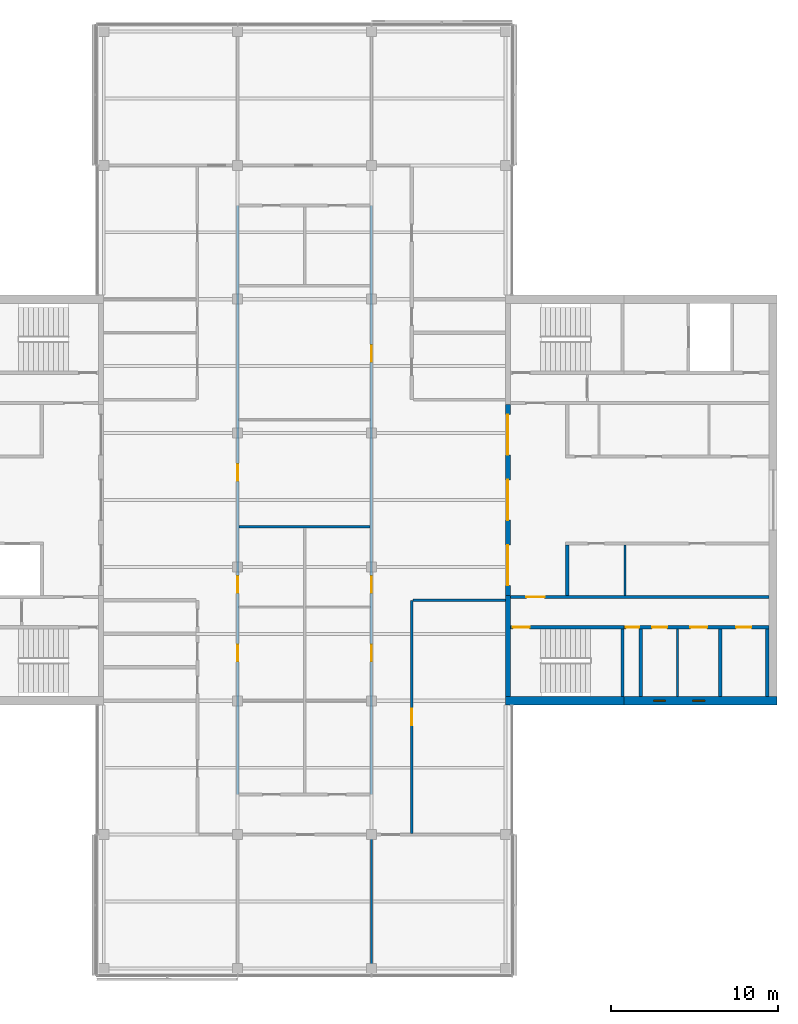
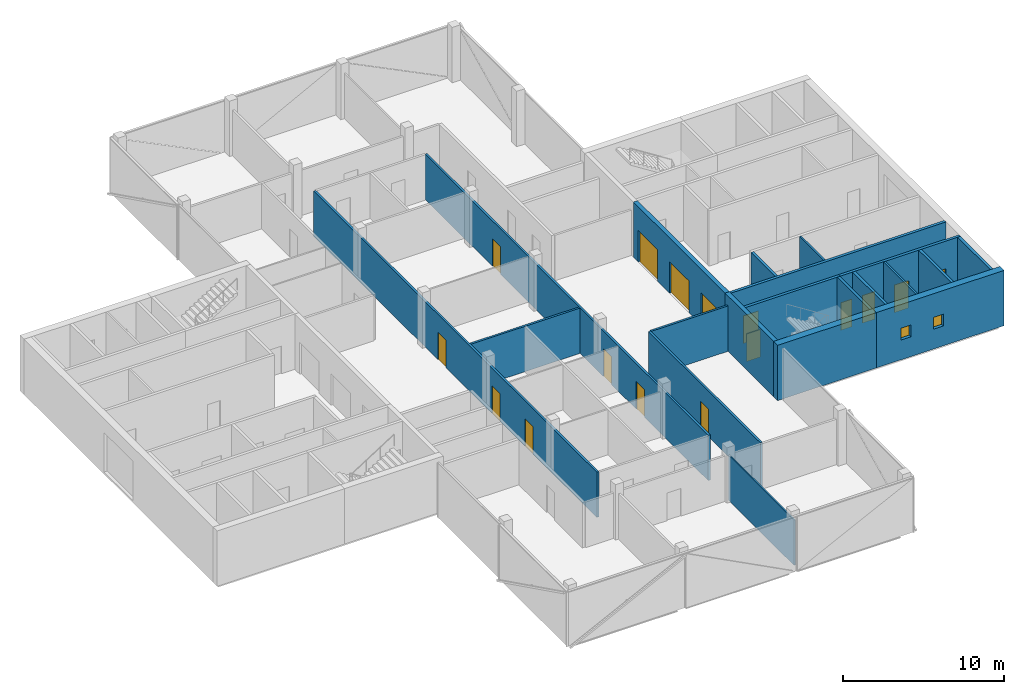
# One storey, part 10 of 16: 20 walls, 16 doors, 2 windows, 18 openings.
"""IFC4 building model written with IfcOpenShell, lengths in metres."""

from ifc_helpers import new_model, si_unit, direction, frame, frame_2d, origin, place, context, subcontext, project, spatial, rectangle, extrude, material, layer, layer_set, constituent, constituent_set, type_object, element, fill, save


model = new_model("IFC4")

# Units and contexts
model_context = context("Model", 3, precision=1e-05, world=origin(), true_north=direction((0.0, 1.0)))
body_context = subcontext(model_context, "Body", "Model", "MODEL_VIEW")
ifc_project = project(units=[si_unit("LENGTHUNIT", "METRE"), si_unit("AREAUNIT", "SQUARE_METRE"), si_unit("VOLUMEUNIT", "CUBIC_METRE"), si_unit("PLANEANGLEUNIT", "RADIAN"), si_unit("MASSUNIT", "GRAM", prefix="KILO")], contexts=[model_context])

# Site, building, storey
site_placement = place(None, origin())
site = spatial("IfcSite", under=ifc_project, at=site_placement, CompositionType="ELEMENT")
building_placement = place(site_placement, origin())
building = spatial("IfcBuilding", under=site, at=building_placement, Name="Crosswind Convention Tower", CompositionType="ELEMENT")
storey_placement = place(building_placement, frame((0.0, 0.0, 340.699951171875)))
storey = spatial("IfcBuildingStorey", under=building, at=storey_placement, Name="L74", CompositionType="ELEMENT", Elevation=340.699951171875)

# Wall
ifc_material_1 = material(Name="Concrete blockwork", Category="masonry")
ifc_layer_1 = layer(ifc_material_1, 0.199951171875)
ifc_layer_set_1 = layer_set([ifc_layer_1], Name="Blockwork partition wall 200")
wall_type_1 = type_object("IfcWallType", Name="Blockwork partition wall 200", PredefinedType="PARTITIONING", material=ifc_layer_set_1)
wall_1_placement = place(storey_placement, frame((145.10009765625, 88.25, 0.0), z_axis=(0.0, 0.0, 1.0), x_axis=(0.0, 1.0, 0.0)))
element("IfcWall", 1, at=wall_1_placement, inside=storey, type_object=wall_type_1, Name="Wall MRSE E L74", PredefinedType="PARTITIONING", context=body_context, shape_type="SweptSolid", body=[
    extrude(rectangle(XDim=4.050048828125, YDim=0.199951171875, at=frame_2d((2.02490234375, 0.0))), origin(), (0.0, 0.0, 1.0), 4.199951171875),
])

# Wall, openings, doors
ifc_material_2 = material(Name="Concrete C50/60", Category="concrete")
ifc_layer_2 = layer(ifc_material_2, 0.300048828125)
ifc_layer_set_2 = layer_set([ifc_layer_2], Name="Concrete C50/60")
wall_type_2 = type_object("IfcWallType", Name="Concrete inner core wall 300", PredefinedType="SHEAR", material=ifc_layer_set_2)
wall_2_placement = place(storey_placement, frame((137.14990234375, 94.300048828125, 0.0), z_axis=(0.0, 0.0, 1.0), x_axis=(0.0, 1.0, 0.0)))
wall_2 = element("IfcWall", 2, at=wall_2_placement, inside=storey, type_object=wall_type_2, Name="Wall SCR E L74", PredefinedType="SHEAR", context=body_context, shape_type="SweptSolid", body=[
    extrude(rectangle(XDim=11.39990234375, YDim=0.300048828125, at=frame_2d((5.699951171875, 0.0))), origin(), (0.0, 0.0, 1.0), 4.199951171875),
])
opening_1_placement = place(wall_2_placement, frame((0.60009765625, 0.0, 0.0)))
opening_1 = element("IfcOpeningElement", 3, at=opening_1_placement, cuts=wall_2, Name="Opening D100", PredefinedType="OPENING", context=body_context, shape_type="SweptSolid", body=[
    extrude(rectangle(XDim=2.39990234375, YDim=2.39990234375, at=frame_2d((1.199951171875, 1.199951171875))), frame((0.0, 0.159912109375, 0.0), z_axis=(0.0, -1.0, 0.0), x_axis=(1.0, 0.0, 0.0)), (0.0, 0.0, 1.0), 0.320068359375),
])
opening_2_placement = place(wall_2_placement, frame((4.5, 0.0, 0.0)))
opening_2 = element("IfcOpeningElement", 4, at=opening_2_placement, cuts=wall_2, Name="Opening D100", PredefinedType="OPENING", context=body_context, shape_type="SweptSolid", body=[
    extrude(rectangle(XDim=2.39990234375, YDim=2.39990234375, at=frame_2d((1.199951171875, 1.199951171875))), frame((0.0, 0.159912109375, 0.0), z_axis=(0.0, -1.0, 0.0), x_axis=(1.0, 0.0, 0.0)), (0.0, 0.0, 1.0), 0.320068359375),
])
opening_3_placement = place(wall_2_placement, frame((8.39990234375, 0.0, 0.0)))
opening_3 = element("IfcOpeningElement", 5, at=opening_3_placement, cuts=wall_2, Name="Opening D100", PredefinedType="OPENING", context=body_context, shape_type="SweptSolid", body=[
    extrude(rectangle(XDim=2.39990234375, YDim=2.39990234375, at=frame_2d((1.199951171875, 1.199951171875))), frame((0.0, 0.159912109375, 0.0), z_axis=(0.0, -1.0, 0.0), x_axis=(1.0, 0.0, 0.0)), (0.0, 0.0, 1.0), 0.320068359375),
])
ifc_material_3 = material(Name="Steel fire door with glazed vision panels", Category="steel")
door_type_1 = type_object("IfcDoorType", Name="Fire-rated double door 2400x2400", OperationType="DOUBLE_DOOR_SINGLE_SWING", PredefinedType="DOOR", material=ifc_material_3)
door_1_placement = place(opening_1_placement, origin())
door_1 = element("IfcDoor", 6, at=door_1_placement, inside=storey, type_object=door_type_1, Name="Lobby door 1 L74", ObjectType="D100", OperationType="DOUBLE_DOOR_SINGLE_SWING", OverallHeight=2.39990234375, OverallWidth=2.39990234375, PredefinedType="DOOR", context=body_context, shape_type="SweptSolid", body=[
    extrude(rectangle(XDim=2.39990234375, YDim=2.39990234375, at=frame_2d((1.199951171875, 1.199951171875))), frame((0.0, 0.02490234375, 0.0), z_axis=(0.0, -1.0, 0.0), x_axis=(1.0, 0.0, 0.0)), (0.0, 0.0, 1.0), 0.050048828125),
])
fill(opening_1, door_1)
door_2_placement = place(opening_2_placement, origin())
door_2 = element("IfcDoor", 7, at=door_2_placement, inside=storey, type_object=door_type_1, Name="Lobby door 2 L74", ObjectType="D100", OperationType="DOUBLE_DOOR_SINGLE_SWING", OverallHeight=2.39990234375, OverallWidth=2.39990234375, PredefinedType="DOOR", context=body_context, shape_type="SweptSolid", body=[
    extrude(rectangle(XDim=2.39990234375, YDim=2.39990234375, at=frame_2d((1.199951171875, 1.199951171875))), frame((0.0, 0.02490234375, 0.0), z_axis=(0.0, -1.0, 0.0), x_axis=(1.0, 0.0, 0.0)), (0.0, 0.0, 1.0), 0.050048828125),
])
fill(opening_2, door_2)
door_3_placement = place(opening_3_placement, origin())
door_3 = element("IfcDoor", 8, at=door_3_placement, inside=storey, type_object=door_type_1, Name="Lobby door 3 L74", ObjectType="D100", OperationType="DOUBLE_DOOR_SINGLE_SWING", OverallHeight=2.39990234375, OverallWidth=2.39990234375, PredefinedType="DOOR", context=body_context, shape_type="SweptSolid", body=[
    extrude(rectangle(XDim=2.39990234375, YDim=2.39990234375, at=frame_2d((1.199951171875, 1.199951171875))), frame((0.0, 0.02490234375, 0.0), z_axis=(0.0, -1.0, 0.0), x_axis=(1.0, 0.0, 0.0)), (0.0, 0.0, 1.0), 0.050048828125),
])
fill(opening_3, door_3)

# Walls
wall_3_placement = place(storey_placement, frame((137.14990234375, 88.25, 0.0), z_axis=(0.0, 0.0, 1.0), x_axis=(0.0, 1.0, 0.0)))
element("IfcWall", 9, at=wall_3_placement, inside=storey, type_object=wall_type_2, Name="Wall EM E L74", PredefinedType="SHEAR", context=body_context, shape_type="SweptSolid", body=[
    extrude(rectangle(XDim=6.050048828125, YDim=0.300048828125, at=frame_2d((3.02490234375, 0.0))), origin(), (0.0, 0.0, 1.0), 4.199951171875),
])
ifc_layer_3 = layer(ifc_material_2, 0.199951171875)
ifc_layer_set_3 = layer_set([ifc_layer_3], Name="Concrete C50/60")
wall_type_3 = type_object("IfcWallType", Name="Concrete shaft and stair wall 200", PredefinedType="SHEAR", material=ifc_layer_set_3)
wall_4_placement = place(storey_placement, frame((140.699951171875, 94.300048828125, 0.0), z_axis=(0.0, 0.0, 1.0), x_axis=(0.0, 1.0, 0.0)))
element("IfcWall", 10, at=wall_4_placement, inside=storey, type_object=wall_type_3, Name="Wall RMEND E L74", PredefinedType="SHEAR", context=body_context, shape_type="SweptSolid", body=[
    extrude(rectangle(XDim=3.0, YDim=0.199951171875, at=frame_2d((1.5, 0.0))), origin(), (0.0, 0.0, 1.0), 4.199951171875),
])

# Wall, opening, door
wall_5_placement = place(storey_placement, frame((137.300048828125, 94.199951171875, 0.0), z_axis=(0.0, 0.0, 1.0), x_axis=(1.0, 0.0, 0.0)))
wall_5 = element("IfcWall", 11, at=wall_5_placement, inside=storey, type_object=wall_type_3, Name="Wall HM E L74", PredefinedType="SHEAR", context=body_context, shape_type="SweptSolid", body=[
    extrude(rectangle(XDim=15.449951171875, YDim=0.199951171875, at=frame_2d((7.72509765625, 0.0))), origin(), (0.0, 0.0, 1.0), 4.199951171875),
])
opening_4_placement = place(wall_5_placement, frame((0.949951171875, 0.0, 0.0)))
opening_4 = element("IfcOpeningElement", 12, at=opening_4_placement, cuts=wall_5, Name="Opening D104", PredefinedType="OPENING", context=body_context, shape_type="SweptSolid", body=[
    extrude(rectangle(XDim=1.10009765625, YDim=2.10009765625, at=frame_2d((0.550048828125, 1.050048828125))), frame((0.0, 0.10986328125, 0.0), z_axis=(0.0, -1.0, 0.0), x_axis=(1.0, 0.0, 0.0)), (0.0, 0.0, 1.0), 0.219970703125),
])
ifc_material_4 = material(Name="Steel fire door", Category="steel")
door_type_2 = type_object("IfcDoorType", Name="Fire-rated single door 1100x2100", OperationType="NOTDEFINED", PredefinedType="DOOR", material=ifc_material_4)
door_4_placement = place(opening_4_placement, origin())
door_4 = element("IfcDoor", 13, at=door_4_placement, inside=storey, type_object=door_type_2, Name="Corridor door L74", ObjectType="D104", OperationType="SINGLE_SWING_LEFT", OverallHeight=2.10009765625, OverallWidth=1.10009765625, PredefinedType="DOOR", context=body_context, shape_type="SweptSolid", body=[
    extrude(rectangle(XDim=1.10009765625, YDim=2.10009765625, at=frame_2d((0.550048828125, 1.050048828125))), frame((0.0, 0.02490234375, 0.0), z_axis=(0.0, -1.0, 0.0), x_axis=(1.0, 0.0, 0.0)), (0.0, 0.0, 1.0), 0.050048828125),
])
fill(opening_4, door_4)

# Walls
for number, where, z_axis, x_axis, name in (
    (14, (144.0, 88.25, 0.0), (0.0, 0.0, 1.0), (0.0, 1.0, 0.0), "Wall MSE E L74"),
    (15, (149.85009765625, 88.25, 0.0), (0.0, 0.0, 1.0), (0.0, 1.0, 0.0), "Wall MFSW E L74"),
    (16, (152.64990234375, 88.25, 0.0), (0.0, 0.0, 1.0), (0.0, 1.0, 0.0), "Wall MFSE E L74"),
):
    element("IfcWall", number, at=place(storey_placement, frame(where, z_axis=z_axis, x_axis=x_axis)), inside=storey, type_object=wall_type_3, Name=name, PredefinedType="SHEAR", context=body_context, shape_type="SweptSolid", body=[
        extrude(rectangle(XDim=4.050048828125, YDim=0.199951171875, at=frame_2d((2.02490234375, 0.0))), origin(), (0.0, 0.0, 1.0), 4.199951171875),
    ])

# Wall, opening, door
wall_6_placement = place(storey_placement, frame((137.300048828125, 92.39990234375, 0.0), z_axis=(0.0, 0.0, 1.0), x_axis=(1.0, 0.0, 0.0)))
wall_6 = element("IfcWall", 17, at=wall_6_placement, inside=storey, type_object=wall_type_3, Name="Wall MCW E L74", PredefinedType="SHEAR", context=body_context, shape_type="SweptSolid", body=[
    extrude(rectangle(XDim=6.800048828125, YDim=0.199951171875, at=frame_2d((3.39990234375, 0.0))), origin(), (0.0, 0.0, 1.0), 4.199951171875),
])
opening_5_placement = place(wall_6_placement, frame((0.14990234375, 0.0, 0.0)))
opening_5 = element("IfcOpeningElement", 18, at=opening_5_placement, cuts=wall_6, Name="Opening D103", PredefinedType="OPENING", context=body_context, shape_type="SweptSolid", body=[
    extrude(rectangle(XDim=1.0, YDim=2.10009765625, at=frame_2d((0.5, 1.050048828125))), frame((0.0, 0.10986328125, 0.0), z_axis=(0.0, -1.0, 0.0), x_axis=(1.0, 0.0, 0.0)), (0.0, 0.0, 1.0), 0.219970703125),
])
door_type_3 = type_object("IfcDoorType", Name="Fire-rated single door 1000x2100", OperationType="NOTDEFINED", PredefinedType="DOOR", material=ifc_material_4)
door_5_placement = place(opening_5_placement, frame((1.0, 0.0, 0.0), z_axis=(0.0, 0.0, 1.0), x_axis=(-1.0, 0.0, 0.0)))
door_5 = element("IfcDoor", 19, at=door_5_placement, inside=storey, type_object=door_type_3, Name="Stair ST2 door L74", ObjectType="D103", OperationType="SINGLE_SWING_RIGHT", OverallHeight=2.10009765625, OverallWidth=1.0, PredefinedType="DOOR", context=body_context, shape_type="SweptSolid", body=[
    extrude(rectangle(XDim=1.0, YDim=2.10009765625, at=frame_2d((0.5, 1.050048828125))), frame((0.0, 0.02490234375, 0.0), z_axis=(0.0, -1.0, 0.0), x_axis=(1.0, 0.0, 0.0)), (0.0, 0.0, 1.0), 0.050048828125),
])
fill(opening_5, door_5)

# Wall, openings, doors
wall_7_placement = place(storey_placement, frame((144.10009765625, 92.39990234375, 0.0), z_axis=(0.0, 0.0, 1.0), x_axis=(1.0, 0.0, 0.0)))
wall_7 = element("IfcWall", 20, at=wall_7_placement, inside=storey, type_object=wall_type_3, Name="Wall MCX E L74", PredefinedType="SHEAR", context=body_context, shape_type="SweptSolid", body=[
    extrude(rectangle(XDim=8.64990234375, YDim=0.199951171875, at=frame_2d((4.324951171875, 0.0))), origin(), (0.0, 0.0, 1.0), 4.199951171875),
])
opening_6_placement = place(wall_7_placement, frame((0.10009765625, 0.0, 0.0)))
opening_6 = element("IfcOpeningElement", 21, at=opening_6_placement, cuts=wall_7, Name="Opening D105", PredefinedType="OPENING", context=body_context, shape_type="SweptSolid", body=[
    extrude(rectangle(XDim=0.800048828125, YDim=2.10009765625, at=frame_2d((0.39990234375, 1.050048828125))), frame((0.0, 0.10986328125, 0.0), z_axis=(0.0, -1.0, 0.0), x_axis=(1.0, 0.0, 0.0)), (0.0, 0.0, 1.0), 0.219970703125),
])
opening_7_placement = place(wall_7_placement, frame((1.665283203125, 0.0, 0.0)))
opening_7 = element("IfcOpeningElement", 22, at=opening_7_placement, cuts=wall_7, Name="Opening D106", PredefinedType="OPENING", context=body_context, shape_type="SweptSolid", body=[
    extrude(rectangle(XDim=0.89990234375, YDim=2.10009765625, at=frame_2d((0.449951171875, 1.050048828125))), frame((0.0, 0.10986328125, 0.0), z_axis=(0.0, -1.0, 0.0), x_axis=(1.0, 0.0, 0.0)), (0.0, 0.0, 1.0), 0.219970703125),
])
opening_8_placement = place(wall_7_placement, frame((3.95263671875, 0.0, 0.0)))
opening_8 = element("IfcOpeningElement", 23, at=opening_8_placement, cuts=wall_7, Name="Opening D103", PredefinedType="OPENING", context=body_context, shape_type="SweptSolid", body=[
    extrude(rectangle(XDim=1.0, YDim=2.10009765625, at=frame_2d((0.5, 1.050048828125))), frame((0.0, 0.10986328125, 0.0), z_axis=(0.0, -1.0, 0.0), x_axis=(1.0, 0.0, 0.0)), (0.0, 0.0, 1.0), 0.219970703125),
])
opening_9_placement = place(wall_7_placement, frame((6.699951171875, 0.0, 0.0)))
opening_9 = element("IfcOpeningElement", 24, at=opening_9_placement, cuts=wall_7, Name="Opening D106", PredefinedType="OPENING", context=body_context, shape_type="SweptSolid", body=[
    extrude(rectangle(XDim=0.89990234375, YDim=2.10009765625, at=frame_2d((0.449951171875, 1.050048828125))), frame((0.0, 0.10986328125, 0.0), z_axis=(0.0, -1.0, 0.0), x_axis=(1.0, 0.0, 0.0)), (0.0, 0.0, 1.0), 0.219970703125),
])
door_6_placement = place(opening_8_placement, frame((1.0, 0.0, 0.0), z_axis=(0.0, 0.0, 1.0), x_axis=(-1.0, 0.0, 0.0)))
door_6 = element("IfcDoor", 25, at=door_6_placement, inside=storey, type_object=door_type_3, Name="Door to accessible wc L74", ObjectType="D103", OperationType="SINGLE_SWING_LEFT", OverallHeight=2.10009765625, OverallWidth=1.0, PredefinedType="DOOR", context=body_context, shape_type="SweptSolid", body=[
    extrude(rectangle(XDim=1.0, YDim=2.10009765625, at=frame_2d((0.5, 1.050048828125))), frame((0.0, 0.02490234375, 0.0), z_axis=(0.0, -1.0, 0.0), x_axis=(1.0, 0.0, 0.0)), (0.0, 0.0, 1.0), 0.050048828125),
])
fill(opening_8, door_6)
door_type_4 = type_object("IfcDoorType", Name="Riser access door 800x2100", OperationType="NOTDEFINED", PredefinedType="DOOR", material=ifc_material_4)
door_7_placement = place(opening_6_placement, frame((0.800048828125, 0.0, 0.0), z_axis=(0.0, 0.0, 1.0), x_axis=(-1.0, 0.0, 0.0)))
door_7 = element("IfcDoor", 26, at=door_7_placement, inside=storey, type_object=door_type_4, Name="Riser door L74", ObjectType="D105", OperationType="SINGLE_SWING_LEFT", OverallHeight=2.10009765625, OverallWidth=0.800048828125, PredefinedType="DOOR", context=body_context, shape_type="SweptSolid", body=[
    extrude(rectangle(XDim=0.800048828125, YDim=2.10009765625, at=frame_2d((0.39990234375, 1.050048828125))), frame((0.0, 0.02490234375, 0.0), z_axis=(0.0, -1.0, 0.0), x_axis=(1.0, 0.0, 0.0)), (0.0, 0.0, 1.0), 0.050048828125),
])
fill(opening_6, door_7)
ifc_material_5 = material(Name="Timber door", Category="wood")
door_type_5 = type_object("IfcDoorType", Name="Single leaf door 900x2100", OperationType="NOTDEFINED", PredefinedType="DOOR", material=ifc_material_5)
door_8_placement = place(opening_7_placement, frame((0.89990234375, 0.0, 0.0), z_axis=(0.0, 0.0, 1.0), x_axis=(-1.0, 0.0, 0.0)))
door_8 = element("IfcDoor", 27, at=door_8_placement, inside=storey, type_object=door_type_5, Name="Door to wc L74", ObjectType="D106", OperationType="SINGLE_SWING_LEFT", OverallHeight=2.10009765625, OverallWidth=0.89990234375, PredefinedType="DOOR", context=body_context, shape_type="SweptSolid", body=[
    extrude(rectangle(XDim=0.89990234375, YDim=2.10009765625, at=frame_2d((0.449951171875, 1.050048828125))), frame((0.0, 0.02490234375, 0.0), z_axis=(0.0, -1.0, 0.0), x_axis=(1.0, 0.0, 0.0)), (0.0, 0.0, 1.0), 0.050048828125),
])
fill(opening_7, door_8)
door_9_placement = place(opening_9_placement, frame((0.89990234375, 0.0, 0.0), z_axis=(0.0, 0.0, 1.0), x_axis=(-1.0, 0.0, 0.0)))
door_9 = element("IfcDoor", 28, at=door_9_placement, inside=storey, type_object=door_type_5, Name="Door to accessible wc L74", ObjectType="D106", OperationType="SINGLE_SWING_LEFT", OverallHeight=2.10009765625, OverallWidth=0.89990234375, PredefinedType="DOOR", context=body_context, shape_type="SweptSolid", body=[
    extrude(rectangle(XDim=0.89990234375, YDim=2.10009765625, at=frame_2d((0.449951171875, 1.050048828125))), frame((0.0, 0.02490234375, 0.0), z_axis=(0.0, -1.0, 0.0), x_axis=(1.0, 0.0, 0.0)), (0.0, 0.0, 1.0), 0.050048828125),
])
fill(opening_9, door_9)

# Walls
ifc_material_6 = material(Name="Gypsum plasterboard partition", Category="gypsum")
ifc_layer_4 = layer(ifc_material_6, 0.125)
ifc_layer_set_4 = layer_set([ifc_layer_4], Name="Drywall partition wall 125")
wall_type_4 = type_object("IfcWallType", Name="Drywall partition wall 125", PredefinedType="PARTITIONING", material=ifc_layer_set_4)
wall_8_placement = place(storey_placement, frame((144.14599609375, 94.300048828125, 0.0), z_axis=(0.0, 0.0, 1.0), x_axis=(0.0, 1.0, 0.0)))
element("IfcWall", 29, at=wall_8_placement, inside=storey, type_object=wall_type_4, Name="Wall RMP1 E L74", PredefinedType="PARTITIONING", context=body_context, shape_type="SweptSolid", body=[
    extrude(rectangle(XDim=3.0, YDim=0.125, at=frame_2d((1.5, 0.0))), origin(), (0.0, 0.0, 1.0), 4.199951171875),
])
wall_9_placement = place(storey_placement, frame((147.29296875, 88.25, 0.0), z_axis=(0.0, 0.0, 1.0), x_axis=(0.0, 1.0, 0.0)))
element("IfcWall", 30, at=wall_9_placement, inside=storey, type_object=wall_type_4, Name="Wall MWP1 E L74", PredefinedType="PARTITIONING", context=body_context, shape_type="SweptSolid", body=[
    extrude(rectangle(XDim=4.050048828125, YDim=0.125, at=frame_2d((2.02490234375, 0.0))), origin(), (0.0, 0.0, 1.0), 4.199951171875),
])
ifc_material_7 = material(Name="Plasterboard partition", Category="gypsum")
ifc_layer_5 = layer(ifc_material_7, 0.10009765625)
ifc_layer_set_5 = layer_set([ifc_layer_5], Name="PARTITION 100 METAL STUD")
wall_type_5 = type_object("IfcWallType", Name="PARTITION 100 METAL STUD", PredefinedType="PARTITIONING", material=ifc_layer_set_5)
wall_10_placement = place(storey_placement, frame((129.0, 71.780029296875, 0.0), z_axis=(0.0, 0.0, 1.0), x_axis=(0.0, 1.0, 0.0)))
element("IfcWall", 31, at=wall_10_placement, inside=storey, type_object=wall_type_5, Name="Partition wall WT40", PredefinedType="PARTITIONING", context=body_context, shape_type="SweptSolid", body=[
    extrude(rectangle(XDim=8.14501953125, YDim=0.10009765625, at=frame_2d((4.072509765625, 0.0))), origin(), (0.0, 0.0, 1.0), 3.44287109375),
])

# Wall, openings, doors
ifc_material_8 = material(Name="Fire-board partition with mineral wool", Category="gypsum")
ifc_layer_6 = layer(ifc_material_8, 0.14990234375)
ifc_layer_set_6 = layer_set([ifc_layer_6], Name="TENANCY WALL 150 TWO-HOUR BOARD")
wall_type_6 = type_object("IfcWallType", Name="TENANCY WALL 150 TWO-HOUR BOARD", PredefinedType="PARTITIONING", material=ifc_layer_set_6)
wall_11_placement = place(storey_placement, frame((121.0, 82.39990234375, 0.0), z_axis=(0.0, 0.0, 1.0), x_axis=(0.0, 1.0, 0.0)))
wall_11 = element("IfcWall", 32, at=wall_11_placement, inside=storey, type_object=wall_type_6, Name="Tenancy wall WT41", PredefinedType="PARTITIONING", context=body_context, shape_type="SweptSolid", body=[
    extrude(rectangle(XDim=35.2001953125, YDim=0.14990234375, at=frame_2d((17.60009765625, 0.0))), origin(), (0.0, 0.0, 1.0), 3.44287109375),
])
opening_10_placement = place(wall_11_placement, frame((7.949951171875, 0.0, 0.0)))
opening_10 = element("IfcOpeningElement", 33, at=opening_10_placement, cuts=wall_11, Name="Opening L74-67", PredefinedType="OPENING", context=body_context, shape_type="SweptSolid", body=[
    extrude(rectangle(XDim=1.0, YDim=2.10009765625, at=frame_2d((0.5, 1.050048828125))), frame((0.0, 0.0849609375, 0.0), z_axis=(0.0, -1.0, 0.0), x_axis=(1.0, 0.0, 0.0)), (0.0, 0.0, 1.0), 0.169921875),
])
opening_11_placement = place(wall_11_placement, frame((12.050048828125, 0.0, 0.0)))
opening_11 = element("IfcOpeningElement", 34, at=opening_11_placement, cuts=wall_11, Name="Opening L74-69", PredefinedType="OPENING", context=body_context, shape_type="SweptSolid", body=[
    extrude(rectangle(XDim=1.0, YDim=2.10009765625, at=frame_2d((0.5, 1.050048828125))), frame((0.0, 0.0849609375, 0.0), z_axis=(0.0, -1.0, 0.0), x_axis=(1.0, 0.0, 0.0)), (0.0, 0.0, 1.0), 0.169921875),
])
opening_12_placement = place(wall_11_placement, frame((18.75, 0.0, 0.0)))
opening_12 = element("IfcOpeningElement", 35, at=opening_12_placement, cuts=wall_11, Name="Opening L74-71", PredefinedType="OPENING", context=body_context, shape_type="SweptSolid", body=[
    extrude(rectangle(XDim=1.0, YDim=2.10009765625, at=frame_2d((0.5, 1.050048828125))), frame((0.0, 0.0849609375, 0.0), z_axis=(0.0, -1.0, 0.0), x_axis=(1.0, 0.0, 0.0)), (0.0, 0.0, 1.0), 0.169921875),
])
ifc_material_9 = material(Name="Timber fire door", Category="wood")
door_type_6 = type_object("IfcDoorType", Name="TENANCY ENTRANCE DOOR 1000X2100 FD30S", OperationType="NOTDEFINED", PredefinedType="DOOR", material=ifc_material_9)
door_10_placement = place(opening_10_placement, frame((1.0, 0.0, 0.0), z_axis=(0.0, 0.0, 1.0), x_axis=(-1.0, 0.0, 0.0)))
door_10 = element("IfcDoor", 36, at=door_10_placement, inside=storey, type_object=door_type_6, Name="Door L74-67", ObjectType="D41", OperationType="SINGLE_SWING_RIGHT", OverallHeight=2.10009765625, OverallWidth=1.0, PredefinedType="DOOR", context=body_context, shape_type="SweptSolid", body=[
    extrude(rectangle(XDim=1.0, YDim=2.10009765625, at=frame_2d((0.5, 1.050048828125))), frame((0.0, 0.02490234375, 0.0), z_axis=(0.0, -1.0, 0.0), x_axis=(1.0, 0.0, 0.0)), (0.0, 0.0, 1.0), 0.050048828125),
])
fill(opening_10, door_10)
door_11_placement = place(opening_11_placement, frame((1.0, 0.0, 0.0), z_axis=(0.0, 0.0, 1.0), x_axis=(-1.0, 0.0, 0.0)))
door_11 = element("IfcDoor", 37, at=door_11_placement, inside=storey, type_object=door_type_6, Name="Door L74-69", ObjectType="D41", OperationType="SINGLE_SWING_LEFT", OverallHeight=2.10009765625, OverallWidth=1.0, PredefinedType="DOOR", context=body_context, shape_type="SweptSolid", body=[
    extrude(rectangle(XDim=1.0, YDim=2.10009765625, at=frame_2d((0.5, 1.050048828125))), frame((0.0, 0.02490234375, 0.0), z_axis=(0.0, -1.0, 0.0), x_axis=(1.0, 0.0, 0.0)), (0.0, 0.0, 1.0), 0.050048828125),
])
fill(opening_11, door_11)
door_12_placement = place(opening_12_placement, frame((1.0, 0.0, 0.0), z_axis=(0.0, 0.0, 1.0), x_axis=(-1.0, 0.0, 0.0)))
door_12 = element("IfcDoor", 38, at=door_12_placement, inside=storey, type_object=door_type_6, Name="Door L74-71", ObjectType="D41", OperationType="SINGLE_SWING_LEFT", OverallHeight=2.10009765625, OverallWidth=1.0, PredefinedType="DOOR", context=body_context, shape_type="SweptSolid", body=[
    extrude(rectangle(XDim=1.0, YDim=2.10009765625, at=frame_2d((0.5, 1.050048828125))), frame((0.0, 0.02490234375, 0.0), z_axis=(0.0, -1.0, 0.0), x_axis=(1.0, 0.0, 0.0)), (0.0, 0.0, 1.0), 0.050048828125),
])
fill(opening_12, door_12)

wall_12_placement = place(storey_placement, frame((129.0, 82.39990234375, 0.0), z_axis=(0.0, 0.0, 1.0), x_axis=(0.0, 1.0, 0.0)))
wall_12 = element("IfcWall", 39, at=wall_12_placement, inside=storey, type_object=wall_type_6, Name="Tenancy wall WT41", PredefinedType="PARTITIONING", context=body_context, shape_type="SweptSolid", body=[
    extrude(rectangle(XDim=35.2001953125, YDim=0.14990234375, at=frame_2d((17.60009765625, 0.0))), origin(), (0.0, 0.0, 1.0), 3.44287109375),
])
opening_13_placement = place(wall_12_placement, frame((7.949951171875, 0.0, 0.0)))
opening_13 = element("IfcOpeningElement", 40, at=opening_13_placement, cuts=wall_12, Name="Opening L74-68", PredefinedType="OPENING", context=body_context, shape_type="SweptSolid", body=[
    extrude(rectangle(XDim=1.0, YDim=2.10009765625, at=frame_2d((0.5, 1.050048828125))), frame((0.0, 0.0849609375, 0.0), z_axis=(0.0, -1.0, 0.0), x_axis=(1.0, 0.0, 0.0)), (0.0, 0.0, 1.0), 0.169921875),
])
opening_14_placement = place(wall_12_placement, frame((12.050048828125, 0.0, 0.0)))
opening_14 = element("IfcOpeningElement", 41, at=opening_14_placement, cuts=wall_12, Name="Opening L74-70", PredefinedType="OPENING", context=body_context, shape_type="SweptSolid", body=[
    extrude(rectangle(XDim=1.0, YDim=2.10009765625, at=frame_2d((0.5, 1.050048828125))), frame((0.0, 0.0849609375, 0.0), z_axis=(0.0, -1.0, 0.0), x_axis=(1.0, 0.0, 0.0)), (0.0, 0.0, 1.0), 0.169921875),
])
opening_15_placement = place(wall_12_placement, frame((25.85009765625, 0.0, 0.0)))
opening_15 = element("IfcOpeningElement", 42, at=opening_15_placement, cuts=wall_12, Name="Opening L74-72", PredefinedType="OPENING", context=body_context, shape_type="SweptSolid", body=[
    extrude(rectangle(XDim=1.0, YDim=2.10009765625, at=frame_2d((0.5, 1.050048828125))), frame((0.0, 0.0849609375, 0.0), z_axis=(0.0, -1.0, 0.0), x_axis=(1.0, 0.0, 0.0)), (0.0, 0.0, 1.0), 0.169921875),
])
door_13_placement = place(opening_13_placement, origin())
door_13 = element("IfcDoor", 43, at=door_13_placement, inside=storey, type_object=door_type_6, Name="Door L74-68", ObjectType="D41", OperationType="SINGLE_SWING_LEFT", OverallHeight=2.10009765625, OverallWidth=1.0, PredefinedType="DOOR", context=body_context, shape_type="SweptSolid", body=[
    extrude(rectangle(XDim=1.0, YDim=2.10009765625, at=frame_2d((0.5, 1.050048828125))), frame((0.0, 0.02490234375, 0.0), z_axis=(0.0, -1.0, 0.0), x_axis=(1.0, 0.0, 0.0)), (0.0, 0.0, 1.0), 0.050048828125),
])
fill(opening_13, door_13)
door_14_placement = place(opening_14_placement, origin())
door_14 = element("IfcDoor", 44, at=door_14_placement, inside=storey, type_object=door_type_6, Name="Door L74-70", ObjectType="D41", OperationType="SINGLE_SWING_RIGHT", OverallHeight=2.10009765625, OverallWidth=1.0, PredefinedType="DOOR", context=body_context, shape_type="SweptSolid", body=[
    extrude(rectangle(XDim=1.0, YDim=2.10009765625, at=frame_2d((0.5, 1.050048828125))), frame((0.0, 0.02490234375, 0.0), z_axis=(0.0, -1.0, 0.0), x_axis=(1.0, 0.0, 0.0)), (0.0, 0.0, 1.0), 0.050048828125),
])
fill(opening_14, door_14)
door_15_placement = place(opening_15_placement, origin())
door_15 = element("IfcDoor", 45, at=door_15_placement, inside=storey, type_object=door_type_6, Name="Door L74-72", ObjectType="D41", OperationType="SINGLE_SWING_RIGHT", OverallHeight=2.10009765625, OverallWidth=1.0, PredefinedType="DOOR", context=body_context, shape_type="SweptSolid", body=[
    extrude(rectangle(XDim=1.0, YDim=2.10009765625, at=frame_2d((0.5, 1.050048828125))), frame((0.0, 0.02490234375, 0.0), z_axis=(0.0, -1.0, 0.0), x_axis=(1.0, 0.0, 0.0)), (0.0, 0.0, 1.0), 0.050048828125),
])
fill(opening_15, door_15)

# Wall, opening, door
wall_13_placement = place(storey_placement, frame((131.39990234375, 80.074951171875, 0.0), z_axis=(0.0, 0.0, 1.0), x_axis=(0.0, 1.0, 0.0)))
wall_13 = element("IfcWall", 46, at=wall_13_placement, inside=storey, type_object=wall_type_6, Name="Tenancy wall WT41", PredefinedType="PARTITIONING", context=body_context, shape_type="SweptSolid", body=[
    extrude(rectangle(XDim=13.925048828125, YDim=0.14990234375, at=frame_2d((6.96240234375, 0.0))), origin(), (0.0, 0.0, 1.0), 3.44287109375),
])
opening_16_placement = place(wall_13_placement, frame((6.449951171875, 0.0, 0.0)))
opening_16 = element("IfcOpeningElement", 47, at=opening_16_placement, cuts=wall_13, Name="Opening L74-53", PredefinedType="OPENING", context=body_context, shape_type="SweptSolid", body=[
    extrude(rectangle(XDim=1.0, YDim=2.10009765625, at=frame_2d((0.5, 1.050048828125))), frame((0.0, 0.0849609375, 0.0), z_axis=(0.0, -1.0, 0.0), x_axis=(1.0, 0.0, 0.0)), (0.0, 0.0, 1.0), 0.169921875),
])
door_16_placement = place(opening_16_placement, frame((1.0, 0.0, 0.0), z_axis=(0.0, 0.0, 1.0), x_axis=(-1.0, 0.0, 0.0)))
door_16 = element("IfcDoor", 48, at=door_16_placement, inside=storey, type_object=door_type_6, Name="Door L74-53", ObjectType="D41", OperationType="SINGLE_SWING_LEFT", OverallHeight=2.10009765625, OverallWidth=1.0, PredefinedType="DOOR", context=body_context, shape_type="SweptSolid", body=[
    extrude(rectangle(XDim=1.0, YDim=2.10009765625, at=frame_2d((0.5, 1.050048828125))), frame((0.0, 0.02490234375, 0.0), z_axis=(0.0, -1.0, 0.0), x_axis=(1.0, 0.0, 0.0)), (0.0, 0.0, 1.0), 0.050048828125),
])
fill(opening_16, door_16)

# Walls
wall_14_placement = place(storey_placement, frame((131.47509765625, 94.0, 0.0), z_axis=(0.0, 0.0, 1.0), x_axis=(1.0, 0.0, 0.0)))
element("IfcWall", 49, at=wall_14_placement, inside=storey, type_object=wall_type_6, Name="Tenancy wall WT41", PredefinedType="PARTITIONING", context=body_context, shape_type="SweptSolid", body=[
    extrude(rectangle(XDim=5.52490234375, YDim=0.14990234375, at=frame_2d((2.762451171875, 0.0))), origin(), (0.0, 0.0, 1.0), 3.44287109375),
])
wall_15_placement = place(storey_placement, frame((121.074951171875, 98.39990234375, 0.0), z_axis=(0.0, 0.0, 1.0), x_axis=(1.0, 0.0, 0.0)))
element("IfcWall", 50, at=wall_15_placement, inside=storey, type_object=wall_type_6, Name="Tenancy wall WT41", PredefinedType="PARTITIONING", context=body_context, shape_type="SweptSolid", body=[
    extrude(rectangle(XDim=7.85009765625, YDim=0.14990234375, at=frame_2d((3.925048828125, 0.0))), origin(), (0.0, 0.0, 1.0), 3.44287109375),
])
ifc_material_10 = material(Name="Concrete C60/75", Category="concrete")
ifc_constituent_1 = constituent(ifc_material_10, Name="Structure")
ifc_material_11 = material(Name="Terracotta rainscreen", Category="ceramic")
ifc_constituent_2 = constituent(ifc_material_11, Name="Facing")
ifc_constituent_set = constituent_set(constituents=[ifc_constituent_1, ifc_constituent_2], Name="Concrete C60/75, Terracotta rainscreen")
wall_type_7 = type_object("IfcWallType", Name="Terracotta rainscreen on concrete core wall 500", PredefinedType="SHEAR", material=ifc_constituent_set)
wall_16_placement = place(storey_placement, frame((137.0, 88.0, 0.0), z_axis=(0.0, 0.0, 1.0), x_axis=(1.0, 0.0, 0.0)))
element("IfcWall", 51, at=wall_16_placement, inside=storey, type_object=wall_type_7, Name="Wall S1 E L74", PredefinedType="SHEAR", context=body_context, shape_type="SweptSolid", body=[
    extrude(rectangle(XDim=7.10009765625, YDim=0.5, at=frame_2d((3.550048828125, 0.0))), origin(), (0.0, 0.0, 1.0), 4.199951171875),
])

# Wall, openings, windows
wall_17_placement = place(storey_placement, frame((144.10009765625, 88.0, 0.0), z_axis=(0.0, 0.0, 1.0), x_axis=(1.0, 0.0, 0.0)))
wall_17 = element("IfcWall", 52, at=wall_17_placement, inside=storey, type_object=wall_type_7, Name="Wall S2 E L74", PredefinedType="SHEAR", context=body_context, shape_type="SweptSolid", body=[
    extrude(rectangle(XDim=9.14990234375, YDim=0.5, at=frame_2d((4.574951171875, 0.0))), origin(), (0.0, 0.0, 1.0), 4.199951171875),
])
opening_17_placement = place(wall_17_placement, frame((1.76513671875, 0.0, 1.5)))
opening_17 = element("IfcOpeningElement", 53, at=opening_17_placement, cuts=wall_17, Name="Opening W2", PredefinedType="OPENING", context=body_context, shape_type="SweptSolid", body=[
    extrude(rectangle(XDim=0.699951171875, YDim=0.89990234375, at=frame_2d((0.35009765625, 0.449951171875))), frame((0.0, 0.260009765625, 0.0), z_axis=(0.0, -1.0, 0.0), x_axis=(1.0, 0.0, 0.0)), (0.0, 0.0, 1.0), 0.52001953125),
])
opening_18_placement = place(wall_17_placement, frame((4.102783203125, 0.0, 1.5)))
opening_18 = element("IfcOpeningElement", 54, at=opening_18_placement, cuts=wall_17, Name="Opening W2", PredefinedType="OPENING", context=body_context, shape_type="SweptSolid", body=[
    extrude(rectangle(XDim=0.699951171875, YDim=0.89990234375, at=frame_2d((0.35009765625, 0.449951171875))), frame((0.0, 0.260009765625, 0.0), z_axis=(0.0, -1.0, 0.0), x_axis=(1.0, 0.0, 0.0)), (0.0, 0.0, 1.0), 0.52001953125),
])
ifc_material_12 = material(Name="Obscure glass in aluminium frame", Category="aluminium")
window_type = type_object("IfcWindowType", Name="WC window 700x900", PartitioningType="SINGLE_PANEL", PredefinedType="WINDOW", material=ifc_material_12)
window_1_placement = place(opening_17_placement, origin())
window_1 = element("IfcWindow", 55, at=window_1_placement, inside=storey, type_object=window_type, Name="WC window L74", ObjectType="W2", OverallHeight=0.89990234375, OverallWidth=0.699951171875, PartitioningType="SINGLE_PANEL", PredefinedType="WINDOW", context=body_context, shape_type="SweptSolid", body=[
    extrude(rectangle(XDim=0.699951171875, YDim=0.89990234375, at=frame_2d((0.35009765625, 0.449951171875))), frame((0.0, 0.030029296875, 0.0), z_axis=(0.0, -1.0, 0.0), x_axis=(1.0, 0.0, 0.0)), (0.0, 0.0, 1.0), 0.06005859375),
])
fill(opening_17, window_1)
window_2_placement = place(opening_18_placement, origin())
window_2 = element("IfcWindow", 56, at=window_2_placement, inside=storey, type_object=window_type, Name="WC window L74", ObjectType="W2", OverallHeight=0.89990234375, OverallWidth=0.699951171875, PartitioningType="SINGLE_PANEL", PredefinedType="WINDOW", context=body_context, shape_type="SweptSolid", body=[
    extrude(rectangle(XDim=0.699951171875, YDim=0.89990234375, at=frame_2d((0.35009765625, 0.449951171875))), frame((0.0, 0.030029296875, 0.0), z_axis=(0.0, -1.0, 0.0), x_axis=(1.0, 0.0, 0.0)), (0.0, 0.0, 1.0), 0.06005859375),
])
fill(opening_18, window_2)

save(model, "model.ifc")
